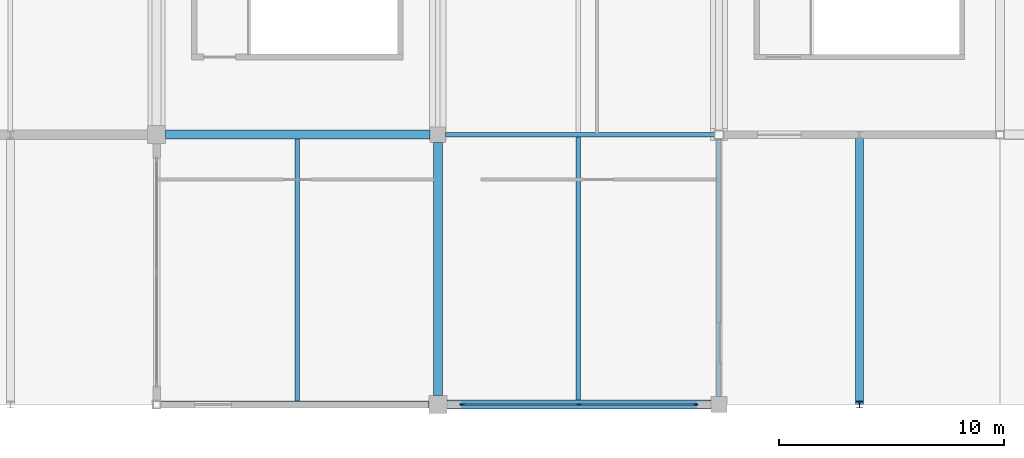
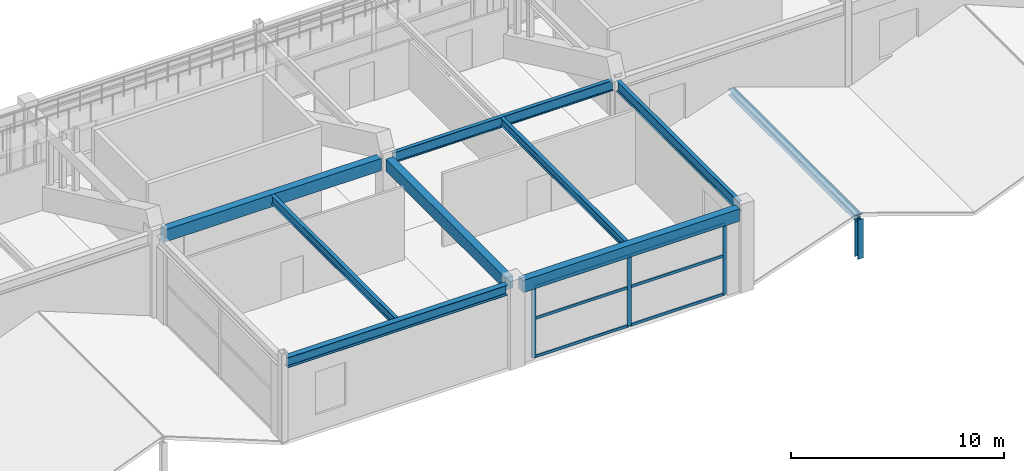
# One storey, part 45 of 128: 11 members, 8 beams, 1 element without a shape of its own.
"""IFC4 building model written with IfcOpenShell, lengths in metres."""

from ifc_helpers import new_model, si_unit, direction, frame, origin, origin_2d, place, context, subcontext, project, spatial, rectangle, i_section, extrude, material, layer, layer_set, material_profile, profile_set, type_object, element, aggregate, save


model = new_model("IFC4")

# Units and contexts
model_context = context("Model", 3, precision=1e-05, world=origin(), true_north=direction((0.0, 1.0)))
body_context = subcontext(model_context, "Body", "Model", "MODEL_VIEW")
ifc_project = project(units=[si_unit("LENGTHUNIT", "METRE"), si_unit("AREAUNIT", "SQUARE_METRE"), si_unit("VOLUMEUNIT", "CUBIC_METRE"), si_unit("PLANEANGLEUNIT", "RADIAN"), si_unit("MASSUNIT", "GRAM", prefix="KILO")], contexts=[model_context])

# Site, building, storey
site_placement = place(None, origin())
site = spatial("IfcSite", under=ifc_project, at=site_placement, CompositionType="ELEMENT")
building_placement = place(site_placement, origin())
building = spatial("IfcBuilding", under=site, at=building_placement, Name="Kazenohara Klinker Stadium", CompositionType="ELEMENT")
storey_placement = place(building_placement, frame((0.0, 0.0, 15.300048828125)))
storey = spatial("IfcBuildingStorey", under=building, at=storey_placement, Name="L03", CompositionType="ELEMENT", Elevation=15.300048828125)

# Beams
ifc_material_1 = material(Name="Steel S355", Category="steel")
ifc_material_profile_1 = material_profile(ifc_material_1, i_section(OverallWidth=0.199951171875, OverallDepth=0.5, WebThickness=0.010009765625, FlangeThickness=0.01611328125, FilletRadius=0.012939453125, at=origin_2d()), Name="H-500x200x10x16")
ifc_profile_set_1 = profile_set([ifc_material_profile_1], Name="Steel S355")
beam_type_1 = type_object("IfcBeamType", Name="BM-JST01", PredefinedType="JOIST", material=ifc_profile_set_1)
beam_1_placement = place(storey_placement, frame((131.25, 12.14990234375, 4.510009765625), z_axis=(0.0, 1.0, 0.0), x_axis=(-1.0, 0.0, 0.0)))
element("IfcBeam", 1, at=beam_1_placement, inside=storey, type_object=beam_type_1, Name="Secondary floor joist SJ01 L03 11/B", PredefinedType="JOIST", context=body_context, shape_type="SweptSolid", body=[
    extrude(i_section(OverallWidth=0.199951171875, OverallDepth=0.5, WebThickness=0.010009765625, FlangeThickness=0.01611328125, FilletRadius=0.012939453125, at=origin_2d()), origin(), (0.0, 0.0, 1.0), 11.650146484375),
])
ifc_material_profile_2 = material_profile(ifc_material_1, i_section(OverallWidth=0.199951171875, OverallDepth=0.449951171875, WebThickness=0.009033203125, FlangeThickness=0.013916015625, FilletRadius=0.012939453125, at=origin_2d()), Name="H-450x200x9x14")
ifc_profile_set_2 = profile_set([ifc_material_profile_2], Name="Steel S355")
beam_type_2 = type_object("IfcBeamType", Name="BM-JST02", PredefinedType="JOIST", material=ifc_profile_set_2)
beam_2_placement = place(storey_placement, frame((143.75, 12.199951171875, 4.534912109375), z_axis=(0.0, 1.0, 0.0), x_axis=(-1.0, 0.0, 0.0)))
element("IfcBeam", 2, at=beam_2_placement, inside=storey, type_object=beam_type_2, Name="Secondary floor joist SJ02 L03 12/B", PredefinedType="JOIST", context=body_context, shape_type="SweptSolid", body=[
    extrude(i_section(OverallWidth=0.199951171875, OverallDepth=0.449951171875, WebThickness=0.009033203125, FlangeThickness=0.013916015625, FilletRadius=0.012939453125, at=origin_2d()), origin(), (0.0, 0.0, 1.0), 11.699951171875),
])
ifc_material_2 = material(Name="Concrete C40/50", Category="concrete")
ifc_material_profile_3 = material_profile(ifc_material_2, rectangle(XDim=0.39990234375, YDim=0.699951171875, at=origin_2d()), Name="RC-BM-400x700")
ifc_profile_set_3 = profile_set([ifc_material_profile_3], Name="Concrete C40/50")
beam_type_3 = type_object("IfcBeamType", Name="BM-RC04", PredefinedType="BEAM", material=ifc_profile_set_3)
for number, where, z_axis, x_axis, name in (
    (3, (125.39990234375, 24.0, 4.409912109375), (1.0, 0.0, 0.0), (0.0, 1.0, 0.0), "Primary girder BG04 L03 11-12/C"),
    (4, (137.89990234375, 12.0, 4.409912109375), (1.0, 0.0, 0.0), (0.0, 1.0, 0.0), "Primary girder BG04 L03 12-13/B"),
):
    element("IfcBeam", number, at=place(storey_placement, frame(where, z_axis=z_axis, x_axis=x_axis)), inside=storey, type_object=beam_type_3, Name=name, PredefinedType="BEAM", context=body_context, shape_type="SweptSolid", body=[
        extrude(rectangle(XDim=0.39990234375, YDim=0.699951171875, at=origin_2d()), origin(), (0.0, 0.0, 1.0), 11.75),
    ])
beam_3_placement = place(storey_placement, frame((137.5, 12.39990234375, 4.409912109375), z_axis=(0.0, 1.0, 0.0), x_axis=(-1.0, 0.0, 0.0)))
element("IfcBeam", 5, at=beam_3_placement, inside=storey, type_object=beam_type_3, Name="Primary girder BG04 L03 12/B-C", PredefinedType="BEAM", context=body_context, shape_type="SweptSolid", body=[
    extrude(rectangle(XDim=0.39990234375, YDim=0.699951171875, at=origin_2d()), origin(), (0.0, 0.0, 1.0), 11.25),
])
ifc_material_profile_4 = material_profile(ifc_material_1, i_section(OverallWidth=0.199951171875, OverallDepth=0.60009765625, WebThickness=0.010986328125, FlangeThickness=0.01708984375, FilletRadius=0.012939453125, at=origin_2d()), Name="H-600x200x11x17")
ifc_profile_set_4 = profile_set([ifc_material_profile_4], Name="Steel S355")
beam_type_4 = type_object("IfcBeamType", Name="BM-ST04", PredefinedType="BEAM", material=ifc_profile_set_4)
beam_4_placement = place(storey_placement, frame((137.85009765625, 24.0, 4.4599609375), z_axis=(1.0, 0.0, 0.0), x_axis=(0.0, 1.0, 0.0)))
element("IfcBeam", 6, at=beam_4_placement, inside=storey, type_object=beam_type_4, Name="Primary girder SB04 L03 12-13/C", PredefinedType="BEAM", context=body_context, shape_type="SweptSolid", body=[
    extrude(i_section(OverallWidth=0.199951171875, OverallDepth=0.60009765625, WebThickness=0.010986328125, FlangeThickness=0.01708984375, FilletRadius=0.012939453125, at=origin_2d()), origin(), (0.0, 0.0, 1.0), 11.949951171875),
])
beam_5_placement = place(storey_placement, frame((150.0, 12.35009765625, 4.4599609375), z_axis=(0.0, 1.0, 0.0), x_axis=(-1.0, 0.0, 0.0)))
element("IfcBeam", 7, at=beam_5_placement, inside=storey, type_object=beam_type_4, Name="Primary girder SB04 L03 13/B-C", PredefinedType="BEAM", context=body_context, shape_type="SweptSolid", body=[
    extrude(i_section(OverallWidth=0.199951171875, OverallDepth=0.60009765625, WebThickness=0.010986328125, FlangeThickness=0.01708984375, FilletRadius=0.012939453125, at=origin_2d()), origin(), (0.0, 0.0, 1.0), 11.449951171875),
])
ifc_material_profile_5 = material_profile(ifc_material_1, i_section(OverallWidth=0.300048828125, OverallDepth=0.587890625, WebThickness=0.011962890625, FlangeThickness=0.02001953125, FilletRadius=0.02197265625, at=origin_2d()), Name="H-588x300x12x20")
ifc_profile_set_5 = profile_set([ifc_material_profile_5], Name="Steel S355")
beam_type_5 = type_object("IfcBeamType", Name="BM-ST05", PredefinedType="BEAM", material=ifc_profile_set_5)
beam_6_placement = place(storey_placement, frame((125.175048828125, 12.0, 4.466064453125), z_axis=(1.0, 0.0, 0.0), x_axis=(0.0, 1.0, 0.0)))
element("IfcBeam", 8, at=beam_6_placement, inside=storey, type_object=beam_type_5, Name="Primary girder SB05 L03 11-12/B", PredefinedType="BEAM", context=body_context, shape_type="SweptSolid", body=[
    extrude(i_section(OverallWidth=0.300048828125, OverallDepth=0.587890625, WebThickness=0.011962890625, FlangeThickness=0.02001953125, FilletRadius=0.02197265625, at=origin_2d()), origin(), (0.0, 0.0, 1.0), 11.925048828125),
])

# Curtain wall, members
ifc_material_3 = material(Name="Anodised aluminium and triple glazing", Category="aluminium")
ifc_layer = layer(ifc_material_3, 0.199951171875)
ifc_layer_set = layer_set([ifc_layer], Name="Anodised aluminium and triple glazing")
curtain_wall_type = type_object("IfcCurtainWallType", Name="CW-SYS-03", PredefinedType="USERDEFINED", material=ifc_layer_set)
curtain_wall_placement = place(storey_placement, origin())
curtain_wall = element("IfcCurtainWall", 9, at=curtain_wall_placement, inside=storey, type_object=curtain_wall_type, Name="Unitised facade curtain wall CW03 L03 X11-1", ObjectType="UNITISED CURTAIN WALL", PredefinedType="USERDEFINED")
ifc_material_4 = material(Name="Anodised aluminium 6063-T6", Category="aluminium")
ifc_material_profile_6 = material_profile(ifc_material_4, rectangle(XDim=0.074951171875, YDim=0.219970703125, at=origin_2d()), Name="ALU-MUL-75x220")
ifc_profile_set_6 = profile_set([ifc_material_profile_6], Name="Anodised aluminium 6063-T6")
member_type_1 = type_object("IfcMemberType", Name="CW-MUL-220", PredefinedType="MULLION", material=ifc_profile_set_6)
member_1_placement = place(storey_placement, frame((138.591552734375, 12.0, 0.0), z_axis=(0.0, 0.0, 1.0), x_axis=(0.0, 1.0, 0.0)))
member_1 = element("IfcMember", 10, at=member_1_placement, type_object=member_type_1, Name="CW03 mullion 1", PredefinedType="MULLION", context=body_context, shape_type="SweptSolid", body=[
    extrude(rectangle(XDim=0.074951171875, YDim=0.219970703125, at=origin_2d()), origin(), (0.0, 0.0, 1.0), 4.06005859375),
])
member_2_placement = place(storey_placement, frame((143.77490234375, 12.0, 0.0), z_axis=(0.0, 0.0, 1.0), x_axis=(0.0, 1.0, 0.0)))
member_2 = element("IfcMember", 11, at=member_2_placement, type_object=member_type_1, Name="CW03 mullion 2", PredefinedType="MULLION", context=body_context, shape_type="SweptSolid", body=[
    extrude(rectangle(XDim=0.074951171875, YDim=0.219970703125, at=origin_2d()), origin(), (0.0, 0.0, 1.0), 4.06005859375),
])
member_3_placement = place(storey_placement, frame((148.95849609375, 12.0, 0.0), z_axis=(0.0, 0.0, 1.0), x_axis=(0.0, 1.0, 0.0)))
member_3 = element("IfcMember", 12, at=member_3_placement, type_object=member_type_1, Name="CW03 mullion 3", PredefinedType="MULLION", context=body_context, shape_type="SweptSolid", body=[
    extrude(rectangle(XDim=0.074951171875, YDim=0.219970703125, at=origin_2d()), origin(), (0.0, 0.0, 1.0), 4.06005859375),
])
ifc_material_profile_7 = material_profile(ifc_material_4, rectangle(XDim=0.074951171875, YDim=0.159912109375, at=origin_2d()), Name="ALU-TRN-75x160")
ifc_profile_set_7 = profile_set([ifc_material_profile_7], Name="Anodised aluminium 6063-T6")
member_type_2 = type_object("IfcMemberType", Name="CW-TRN-160", PredefinedType="USERDEFINED", material=ifc_profile_set_7)
member_4_placement = place(storey_placement, frame((138.62890625, 12.0, 0.037353515625), z_axis=(1.0, 0.0, 0.0), x_axis=(0.0, 1.0, 0.0)))
member_4 = element("IfcMember", 13, at=member_4_placement, type_object=member_type_2, Name="CW03 transom 1.1", ObjectType="TRANSOM", PredefinedType="USERDEFINED", context=body_context, shape_type="SweptSolid", body=[
    extrude(rectangle(XDim=0.074951171875, YDim=0.159912109375, at=origin_2d()), origin(), (0.0, 0.0, 1.0), 5.108642578125),
])
member_5_placement = place(storey_placement, frame((138.62890625, 12.0, 2.23291015625), z_axis=(1.0, 0.0, 0.0), x_axis=(0.0, 1.0, 0.0)))
member_5 = element("IfcMember", 14, at=member_5_placement, type_object=member_type_2, Name="CW03 transom 1.2", ObjectType="TRANSOM", PredefinedType="USERDEFINED", context=body_context, shape_type="SweptSolid", body=[
    extrude(rectangle(XDim=0.074951171875, YDim=0.159912109375, at=origin_2d()), origin(), (0.0, 0.0, 1.0), 5.108642578125),
])
member_6_placement = place(storey_placement, frame((138.62890625, 12.0, 4.0224609375), z_axis=(1.0, 0.0, 0.0), x_axis=(0.0, 1.0, 0.0)))
member_6 = element("IfcMember", 15, at=member_6_placement, type_object=member_type_2, Name="CW03 transom 1.3", ObjectType="TRANSOM", PredefinedType="USERDEFINED", context=body_context, shape_type="SweptSolid", body=[
    extrude(rectangle(XDim=0.074951171875, YDim=0.159912109375, at=origin_2d()), origin(), (0.0, 0.0, 1.0), 5.108642578125),
])
member_7_placement = place(storey_placement, frame((143.8125, 12.0, 0.037353515625), z_axis=(1.0, 0.0, 0.0), x_axis=(0.0, 1.0, 0.0)))
member_7 = element("IfcMember", 16, at=member_7_placement, type_object=member_type_2, Name="CW03 transom 2.1", ObjectType="TRANSOM", PredefinedType="USERDEFINED", context=body_context, shape_type="SweptSolid", body=[
    extrude(rectangle(XDim=0.074951171875, YDim=0.159912109375, at=origin_2d()), origin(), (0.0, 0.0, 1.0), 5.1083984375),
])
member_8_placement = place(storey_placement, frame((143.8125, 12.0, 2.23291015625), z_axis=(1.0, 0.0, 0.0), x_axis=(0.0, 1.0, 0.0)))
member_8 = element("IfcMember", 17, at=member_8_placement, type_object=member_type_2, Name="CW03 transom 2.2", ObjectType="TRANSOM", PredefinedType="USERDEFINED", context=body_context, shape_type="SweptSolid", body=[
    extrude(rectangle(XDim=0.074951171875, YDim=0.159912109375, at=origin_2d()), origin(), (0.0, 0.0, 1.0), 5.1083984375),
])
member_9_placement = place(storey_placement, frame((143.8125, 12.0, 4.0224609375), z_axis=(1.0, 0.0, 0.0), x_axis=(0.0, 1.0, 0.0)))
member_9 = element("IfcMember", 18, at=member_9_placement, type_object=member_type_2, Name="CW03 transom 2.3", ObjectType="TRANSOM", PredefinedType="USERDEFINED", context=body_context, shape_type="SweptSolid", body=[
    extrude(rectangle(XDim=0.074951171875, YDim=0.159912109375, at=origin_2d()), origin(), (0.0, 0.0, 1.0), 5.1083984375),
])
aggregate(curtain_wall, [member_1, member_2, member_3, member_4, member_5, member_6, member_7, member_8, member_9])

# Members
ifc_material_profile_8 = material_profile(ifc_material_1, i_section(OverallWidth=0.35009765625, OverallDepth=0.35009765625, WebThickness=0.011962890625, FlangeThickness=0.01904296875, FilletRadius=0.012939453125, at=origin_2d()), Name="H-350x350x12x19")
ifc_profile_set_8 = profile_set([ifc_material_profile_8], Name="Steel S355")
member_type_3 = type_object("IfcMemberType", Name="MEM-CHD02", PredefinedType="CHORD", material=ifc_profile_set_8)
member_10_placement = place(storey_placement, frame((156.25, 12.0, 1.829833984375), z_axis=(0.0, 1.0, 0.0), x_axis=(-1.0, 0.0, 0.0)))
element("IfcMember", 19, at=member_10_placement, inside=storey, type_object=member_type_3, Name="Stepped pavilion gable ridge beam L03 13/B", PredefinedType="CHORD", context=body_context, shape_type="SweptSolid", body=[
    extrude(i_section(OverallWidth=0.35009765625, OverallDepth=0.35009765625, WebThickness=0.011962890625, FlangeThickness=0.01904296875, FilletRadius=0.012939453125, at=origin_2d()), origin(), (0.0, 0.0, 1.0), 12.0),
])
ifc_material_profile_9 = material_profile(ifc_material_1, i_section(OverallWidth=0.300048828125, OverallDepth=0.300048828125, WebThickness=0.010009765625, FlangeThickness=0.014892578125, FilletRadius=0.012939453125, at=origin_2d()), Name="H-300x300x10x15")
ifc_profile_set_9 = profile_set([ifc_material_profile_9], Name="Steel S355")
member_type_4 = type_object("IfcMemberType", Name="MEM-STR01", PredefinedType="STRUT", material=ifc_profile_set_9)
member_11_placement = place(storey_placement, frame((156.25, 12.0, -0.429931640625), z_axis=(0.0, 0.0, 1.0), x_axis=(1.0, 0.0, 0.0)))
element("IfcMember", 20, at=member_11_placement, inside=storey, type_object=member_type_4, Name="Stepped pavilion gable king-post L03 13/B S", PredefinedType="STRUT", context=body_context, shape_type="SweptSolid", body=[
    extrude(i_section(OverallWidth=0.300048828125, OverallDepth=0.300048828125, WebThickness=0.010009765625, FlangeThickness=0.014892578125, FilletRadius=0.012939453125, at=origin_2d()), origin(), (0.0, 0.0, 1.0), 2.259765625),
])

save(model, "model.ifc")
